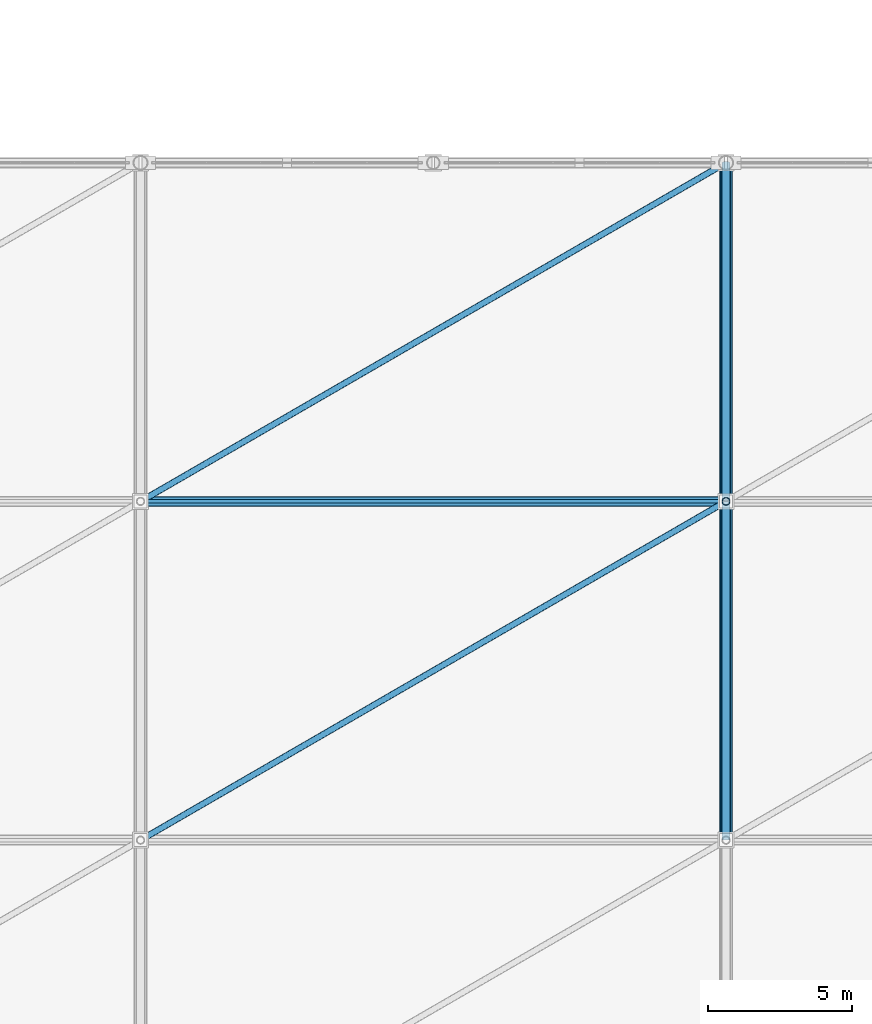
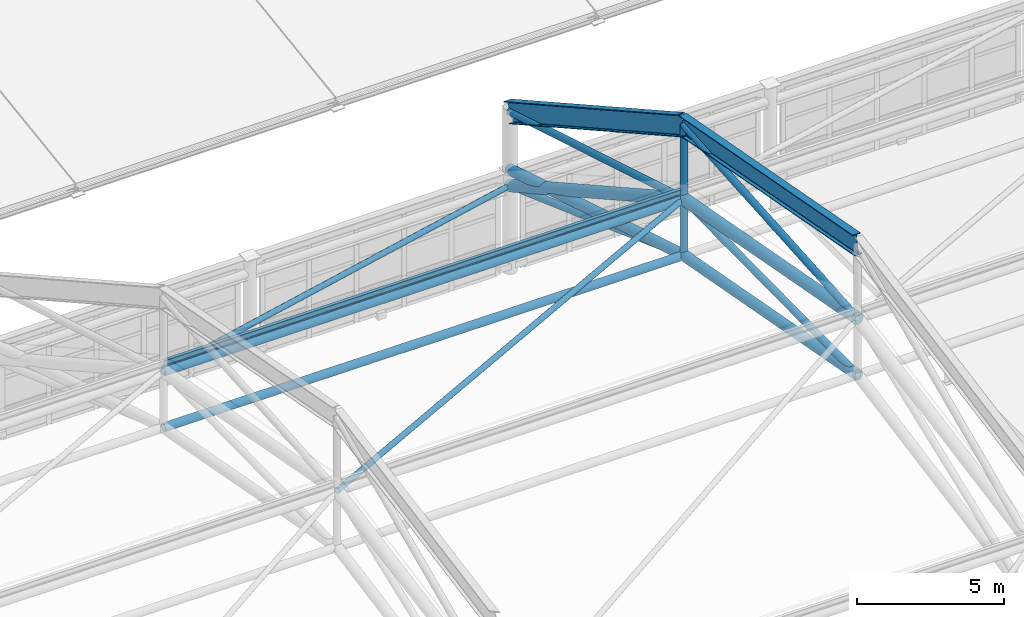
# One storey, part 77 of 135: 15 members, 2 beams.
"""IFC4 building model written with IfcOpenShell, lengths in metres."""

from ifc_helpers import new_model, si_unit, direction, frame, origin, origin_2d, place, context, subcontext, project, spatial, hollow_circle, i_section, extrude, material, material_profile, profile_set, type_object, element, save


model = new_model("IFC4")

# Units and contexts
model_context = context("Model", 3, precision=1e-05, world=origin(), true_north=direction((0.0, 1.0)))
body_context = subcontext(model_context, "Body", "Model", "MODEL_VIEW")
ifc_project = project(units=[si_unit("LENGTHUNIT", "METRE"), si_unit("AREAUNIT", "SQUARE_METRE"), si_unit("VOLUMEUNIT", "CUBIC_METRE"), si_unit("PLANEANGLEUNIT", "RADIAN"), si_unit("MASSUNIT", "GRAM", prefix="KILO")], contexts=[model_context])

# Site, building, storey
site_placement = place(None, origin())
site = spatial("IfcSite", under=ifc_project, at=site_placement, CompositionType="ELEMENT")
building_placement = place(site_placement, origin())
building = spatial("IfcBuilding", under=site, at=building_placement, Name="Brelvane Convention Centre", CompositionType="ELEMENT")
storey_placement = place(building_placement, frame((0.0, 0.0, 15.0)))
storey = spatial("IfcBuildingStorey", under=building, at=storey_placement, Name="L03", CompositionType="ELEMENT", Elevation=15.0)

# Beams
ifc_material_1 = material(Name="Steel E450 (450 MPa)", Category="steel")
ifc_material_profile_1 = material_profile(ifc_material_1, i_section(OverallWidth=0.300048828125, OverallDepth=0.800048828125, WebThickness=0.015380859375, FlangeThickness=0.030029296875, FilletRadius=0.027099609375, at=origin_2d()), Name="NPB 800x300")
ifc_profile_set_1 = profile_set([ifc_material_profile_1], Name="Steel E450 (450 MPa)")
beam_type = type_object("IfcBeamType", Name="Steel Beam B-ST2 (NPB 800x300)", PredefinedType="BEAM", material=ifc_profile_set_1)
beam_1_placement = place(storey_placement, frame((204.0, 64.199951171875, 15.39990234375), z_axis=(0.0, 0.983061168522, -0.183277764458), x_axis=(-1.0, 0.0, 0.0)))
element("IfcBeam", 1, at=beam_1_placement, inside=storey, type_object=beam_type, Name="EXO_PLEN Exoskeletal Arch Girder 3.3", PredefinedType="BEAM", context=body_context, shape_type="SweptSolid", body=[
    extrude(i_section(OverallWidth=0.300048828125, OverallDepth=0.800048828125, WebThickness=0.015380859375, FlangeThickness=0.030029296875, FilletRadius=0.027099609375, at=origin_2d()), origin(), (0.0, 0.0, 1.0), 12.00341796875),
])
beam_2_placement = place(storey_placement, frame((204.0, 76.0, 13.199951171875), z_axis=(0.0, 0.872763623528, -0.488143070673), x_axis=(-1.0, 0.0, 0.0)))
element("IfcBeam", 2, at=beam_2_placement, inside=storey, type_object=beam_type, Name="EXO_PLEN Exoskeletal Arch Girder 3.4", PredefinedType="BEAM", context=body_context, shape_type="SweptSolid", body=[
    extrude(i_section(OverallWidth=0.300048828125, OverallDepth=0.800048828125, WebThickness=0.015380859375, FlangeThickness=0.030029296875, FilletRadius=0.027099609375, at=origin_2d()), origin(), (0.0, 0.0, 1.0), 13.520263671875),
])

# Members
ifc_material_2 = material(Name="Steel E350 (350 MPa)", Category="steel")
ifc_material_profile_2 = material_profile(ifc_material_2, hollow_circle(Radius=0.136474609375, WallThickness=0.012451171875, at=origin_2d()), Name="CHS 273.0x12.5")
ifc_profile_set_2 = profile_set([ifc_material_profile_2], Name="Steel E350 (350 MPa)")
member_type_1 = type_object("IfcMemberType", Name="Steel Brace SF-DG1 (CHS 273.0x12.5)", PredefinedType="BRACE", material=ifc_profile_set_2)
member_1_placement = place(storey_placement, frame((204.0, 64.199951171875, 10.0), z_axis=(0.0, 0.999929733881, 0.011854421151), x_axis=(-1.0, 0.0, 0.0)))
element("IfcMember", 3, at=member_1_placement, inside=storey, type_object=member_type_1, Name="SF_PLEN Space-Frame Web Diagonal D3.3", PredefinedType="BRACE", context=body_context, shape_type="SweptSolid", body=[
    extrude(hollow_circle(Radius=0.136474609375, WallThickness=0.012451171875, at=origin_2d()), origin(), (0.0, 0.0, 1.0), 11.80078125),
])
member_2_placement = place(storey_placement, frame((204.0, 76.0, 7.800048828125), z_axis=(0.0, 0.940582389683, -0.339565558057), x_axis=(-1.0, 0.0, 0.0)))
element("IfcMember", 4, at=member_2_placement, inside=storey, type_object=member_type_1, Name="SF_PLEN Space-Frame Web Diagonal D3.4", PredefinedType="BRACE", context=body_context, shape_type="SweptSolid", body=[
    extrude(hollow_circle(Radius=0.136474609375, WallThickness=0.012451171875, at=origin_2d()), origin(), (0.0, 0.0, 1.0), 12.54541015625),
])
member_3_placement = place(storey_placement, frame((204.0, 64.199951171875, 12.340087890625), z_axis=(0.0, 0.997355547117, 0.07267676819), x_axis=(-1.0, 0.0, 0.0)))
element("IfcMember", 5, at=member_3_placement, inside=storey, type_object=member_type_1, Name="EXO_PLEN Exoskeletal Arch Web 3.3", PredefinedType="BRACE", context=body_context, shape_type="SweptSolid", body=[
    extrude(hollow_circle(Radius=0.136474609375, WallThickness=0.012451171875, at=origin_2d()), origin(), (0.0, 0.0, 1.0), 11.831298828125),
])
member_4_placement = place(storey_placement, frame((204.0, 76.0, 10.139892578125), z_axis=(0.0, 0.957831193962, -0.287331522588), x_axis=(-1.0, 0.0, 0.0)))
element("IfcMember", 6, at=member_4_placement, inside=storey, type_object=member_type_1, Name="EXO_PLEN Exoskeletal Arch Web 3.4", PredefinedType="BRACE", context=body_context, shape_type="SweptSolid", body=[
    extrude(hollow_circle(Radius=0.136474609375, WallThickness=0.012451171875, at=origin_2d()), origin(), (0.0, 0.0, 1.0), 12.319580078125),
])
ifc_material_3 = material(Name="Steel E350 (350 MPa)", Category="steel")
ifc_material_profile_3 = material_profile(ifc_material_3, hollow_circle(Radius=0.109619140625, WallThickness=0.010009765625, at=origin_2d()), Name="CHS 219.1x10.0")
ifc_profile_set_3 = profile_set([ifc_material_profile_3], Name="Steel E350 (350 MPa)")
member_type_2 = type_object("IfcMemberType", Name="Steel Brace SF-DG2 (CHS 219.1x10.0)", PredefinedType="BRACE", material=ifc_profile_set_3)
member_5_placement = place(storey_placement, frame((183.60009765625, 64.199951171875, 12.340087890625), z_axis=(0.861870064084, 0.498537133576, -0.092955468268), x_axis=(-0.500705052683, 0.865617958581, 0.0)))
element("IfcMember", 7, at=member_5_placement, inside=storey, type_object=member_type_2, Name="SF_PLEN Roof Diaphragm Brace PB2.3", PredefinedType="BRACE", context=body_context, shape_type="SweptSolid", body=[
    extrude(hollow_circle(Radius=0.109619140625, WallThickness=0.010009765625, at=origin_2d()), origin(), (0.0, 0.0, 1.0), 23.66943359375),
])
member_6_placement = place(storey_placement, frame((183.60009765625, 76.0, 10.139892578125), z_axis=(0.833548560987, 0.482154941456, -0.269672781172), x_axis=(-0.500705052683, 0.865617958581, 0.0)))
element("IfcMember", 8, at=member_6_placement, inside=storey, type_object=member_type_2, Name="SF_PLEN Roof Diaphragm Brace PB2.4", PredefinedType="BRACE", context=body_context, shape_type="SweptSolid", body=[
    extrude(hollow_circle(Radius=0.109619140625, WallThickness=0.010009765625, at=origin_2d()), origin(), (0.0, 0.0, 1.0), 24.4736328125),
])
ifc_material_4 = material(Name="Steel E450 (450 MPa)", Category="steel")
ifc_material_profile_4 = material_profile(ifc_material_4, hollow_circle(Radius=0.203125, WallThickness=0.01611328125, at=origin_2d()), Name="CHS 406.4x16.0")
ifc_profile_set_4 = profile_set([ifc_material_profile_4], Name="Steel E450 (450 MPa)")
member_type_3 = type_object("IfcMemberType", Name="Steel Chord SF-BC1 (CHS 406.4x16.0)", PredefinedType="CHORD", material=ifc_profile_set_4)
member_7_placement = place(storey_placement, frame((204.0, 64.199951171875, 10.0), z_axis=(0.0, 0.983061168522, -0.183277764458), x_axis=(-1.0, 0.0, 0.0)))
element("IfcMember", 9, at=member_7_placement, inside=storey, type_object=member_type_3, Name="SF_PLEN Space-Frame Bottom Chord B3.3", PredefinedType="CHORD", context=body_context, shape_type="SweptSolid", body=[
    extrude(hollow_circle(Radius=0.203125, WallThickness=0.01611328125, at=origin_2d()), origin(), (0.0, 0.0, 1.0), 12.00341796875),
])
member_8_placement = place(storey_placement, frame((204.0, 76.0, 7.800048828125), z_axis=(0.0, 0.956475457798, -0.291812780102), x_axis=(-1.0, 0.0, 0.0)))
element("IfcMember", 10, at=member_8_placement, inside=storey, type_object=member_type_3, Name="SF_PLEN Space-Frame Bottom Chord B3.4", PredefinedType="CHORD", context=body_context, shape_type="SweptSolid", body=[
    extrude(hollow_circle(Radius=0.203125, WallThickness=0.01611328125, at=origin_2d()), origin(), (0.0, 0.0, 1.0), 12.3369140625),
])
ifc_material_5 = material(Name="Steel E350 (350 MPa)", Category="steel")
ifc_material_profile_5 = material_profile(ifc_material_5, hollow_circle(Radius=0.161865234375, WallThickness=0.012451171875, at=origin_2d()), Name="CHS 323.9x12.5")
ifc_profile_set_5 = profile_set([ifc_material_profile_5], Name="Steel E350 (350 MPa)")
member_type_4 = type_object("IfcMemberType", Name="Steel Chord SF-BC2 (CHS 323.9x12.5)", PredefinedType="CHORD", material=ifc_profile_set_5)
member_9_placement = place(storey_placement, frame((183.60009765625, 76.0, 7.800048828125), z_axis=(1.0, 0.0, 0.0), x_axis=(0.0, 1.0, 0.0)))
element("IfcMember", 11, at=member_9_placement, inside=storey, type_object=member_type_4, Name="SF_PLEN Longitudinal Bottom Chord LB2.4", PredefinedType="CHORD", context=body_context, shape_type="SweptSolid", body=[
    extrude(hollow_circle(Radius=0.161865234375, WallThickness=0.012451171875, at=origin_2d()), origin(), (0.0, 0.0, 1.0), 20.39990234375),
])
ifc_material_6 = material(Name="Steel E450 (450 MPa)", Category="steel")
ifc_material_profile_6 = material_profile(ifc_material_6, hollow_circle(Radius=0.228515625, WallThickness=0.02001953125, at=origin_2d()), Name="CHS 457.0x20.0")
ifc_profile_set_6 = profile_set([ifc_material_profile_6], Name="Steel E450 (450 MPa)")
member_type_5 = type_object("IfcMemberType", Name="Steel Chord SF-TC1 (CHS 457.0x20.0)", PredefinedType="CHORD", material=ifc_profile_set_6)
member_10_placement = place(storey_placement, frame((204.0, 64.199951171875, 12.340087890625), z_axis=(0.0, 0.983057503734, -0.183297420472), x_axis=(-1.0, 0.0, 0.0)))
element("IfcMember", 12, at=member_10_placement, inside=storey, type_object=member_type_5, Name="SF_PLEN Space-Frame Top Chord T3.3", PredefinedType="CHORD", context=body_context, shape_type="SweptSolid", body=[
    extrude(hollow_circle(Radius=0.228515625, WallThickness=0.02001953125, at=origin_2d()), origin(), (0.0, 0.0, 1.0), 12.00341796875),
])
member_11_placement = place(storey_placement, frame((204.0, 76.0, 10.139892578125), z_axis=(0.0, 0.872763623528, -0.488143070673), x_axis=(-1.0, 0.0, 0.0)))
element("IfcMember", 13, at=member_11_placement, inside=storey, type_object=member_type_5, Name="SF_PLEN Space-Frame Top Chord T3.4", PredefinedType="CHORD", context=body_context, shape_type="SweptSolid", body=[
    extrude(hollow_circle(Radius=0.228515625, WallThickness=0.02001953125, at=origin_2d()), origin(), (0.0, 0.0, 1.0), 13.520263671875),
])
ifc_material_7 = material(Name="Steel E450 (450 MPa)", Category="steel")
ifc_material_profile_7 = material_profile(ifc_material_7, hollow_circle(Radius=0.177734375, WallThickness=0.01611328125, at=origin_2d()), Name="CHS 355.6x16.0")
ifc_profile_set_7 = profile_set([ifc_material_profile_7], Name="Steel E450 (450 MPa)")
member_type_6 = type_object("IfcMemberType", Name="Steel Chord SF-TC2 (CHS 355.6x16.0)", PredefinedType="CHORD", material=ifc_profile_set_7)
member_12_placement = place(storey_placement, frame((183.60009765625, 76.0, 10.139892578125), z_axis=(1.0, 0.0, 0.0), x_axis=(0.0, 1.0, 0.0)))
element("IfcMember", 14, at=member_12_placement, inside=storey, type_object=member_type_6, Name="SF_PLEN Longitudinal Top Chord LT2.4", PredefinedType="CHORD", context=body_context, shape_type="SweptSolid", body=[
    extrude(hollow_circle(Radius=0.177734375, WallThickness=0.01611328125, at=origin_2d()), origin(), (0.0, 0.0, 1.0), 20.39990234375),
])
ifc_material_8 = material(Name="Steel E350 (350 MPa)", Category="steel")
ifc_material_profile_8 = material_profile(ifc_material_8, i_section(OverallWidth=0.125, OverallDepth=0.25, WebThickness=0.0068359375, FlangeThickness=0.012451171875, FilletRadius=0.012939453125, at=origin_2d()), Name="ISMB 250")
ifc_profile_set_8 = profile_set([ifc_material_profile_8], Name="Steel E350 (350 MPa)")
member_type_7 = type_object("IfcMemberType", Name="Steel Purlin PR-ST1 (ISMB 250)", PredefinedType="PURLIN", material=ifc_profile_set_8)
member_13_placement = place(storey_placement, frame((183.60009765625, 76.0, 10.47509765625), z_axis=(1.0, 0.0, 0.0), x_axis=(0.0, 1.0, 0.0)))
element("IfcMember", 15, at=member_13_placement, inside=storey, type_object=member_type_7, Name="SF_PLEN Roof Purlin P2.4", PredefinedType="PURLIN", context=body_context, shape_type="SweptSolid", body=[
    extrude(i_section(OverallWidth=0.125, OverallDepth=0.25, WebThickness=0.0068359375, FlangeThickness=0.012451171875, FilletRadius=0.012939453125, at=origin_2d()), origin(), (0.0, 0.0, 1.0), 20.39990234375),
])
ifc_material_9 = material(Name="Steel E350 (350 MPa)", Category="steel")
ifc_material_profile_9 = material_profile(ifc_material_9, hollow_circle(Radius=0.136474609375, WallThickness=0.012451171875, at=origin_2d()), Name="CHS 273.0x12.5")
ifc_profile_set_9 = profile_set([ifc_material_profile_9], Name="Steel E350 (350 MPa)")
member_type_8 = type_object("IfcMemberType", Name="Steel Strut SF-VT1 (CHS 273.0x12.5)", PredefinedType="STRUT", material=ifc_profile_set_9)
member_14_placement = place(storey_placement, frame((204.0, 76.0, 7.800048828125), z_axis=(0.0, 0.0, 1.0), x_axis=(1.0, 0.0, 0.0)))
element("IfcMember", 16, at=member_14_placement, inside=storey, type_object=member_type_8, Name="SF_PLEN Space-Frame Post V3.3", PredefinedType="STRUT", context=body_context, shape_type="SweptSolid", body=[
    extrude(hollow_circle(Radius=0.136474609375, WallThickness=0.012451171875, at=origin_2d()), origin(), (0.0, 0.0, 1.0), 2.33984375),
])
member_15_placement = place(storey_placement, frame((204.0, 76.0, 10.139892578125), z_axis=(0.0, 0.0, 1.0), x_axis=(1.0, 0.0, 0.0)))
element("IfcMember", 17, at=member_15_placement, inside=storey, type_object=member_type_8, Name="EXO_PLEN Roof Suspension Hanger 3.3", PredefinedType="STRUT", context=body_context, shape_type="SweptSolid", body=[
    extrude(hollow_circle(Radius=0.136474609375, WallThickness=0.012451171875, at=origin_2d()), origin(), (0.0, 0.0, 1.0), 3.06005859375),
])

save(model, "model.ifc")
